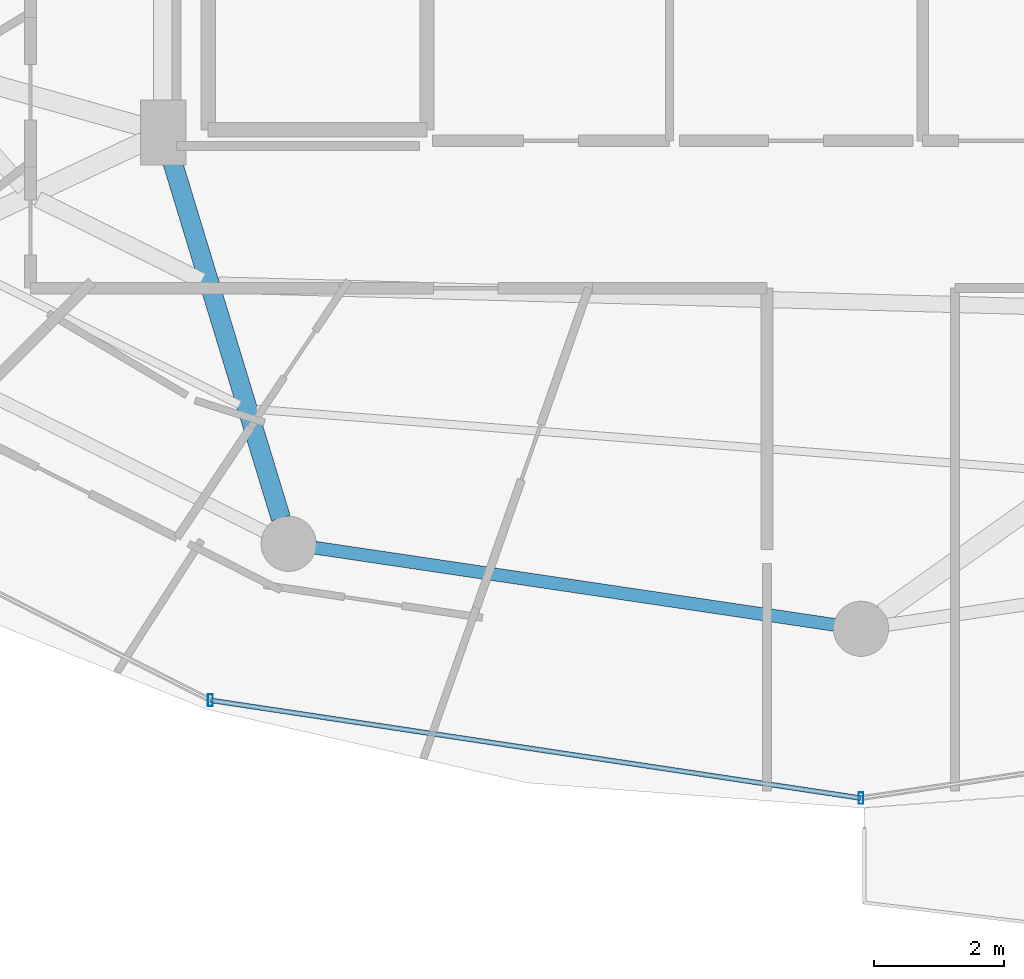
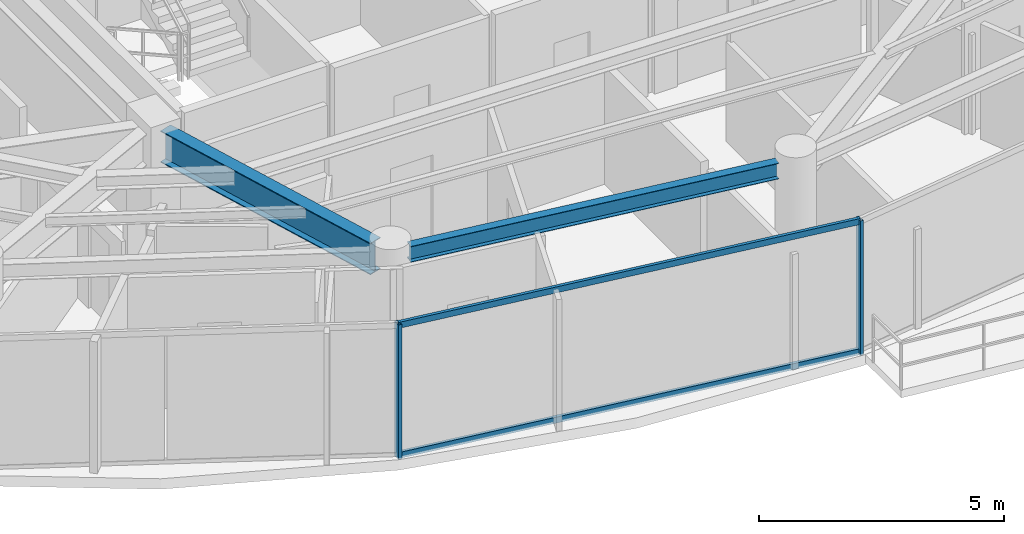
# One storey, part 4 of 30: 4 members, 2 beams, 1 element without a shape of its own.
"""IFC4 building model written with IfcOpenShell, lengths in metres."""

from ifc_helpers import new_model, si_unit, direction, frame, origin, origin_2d, place, context, subcontext, project, spatial, hollow_rectangle, i_section, extrude, material, material_profile, profile_set, type_object, element, aggregate, save


model = new_model("IFC4")

# Units and contexts
model_context = context("Model", 3, precision=1e-05, world=origin(), true_north=direction((0.0, 1.0)))
body_context = subcontext(model_context, "Body", "Model", "MODEL_VIEW")
ifc_project = project(units=[si_unit("LENGTHUNIT", "METRE"), si_unit("AREAUNIT", "SQUARE_METRE"), si_unit("VOLUMEUNIT", "CUBIC_METRE"), si_unit("PLANEANGLEUNIT", "RADIAN"), si_unit("MASSUNIT", "GRAM", prefix="KILO")], contexts=[model_context])

# Site, building, storey
site_placement = place(None, origin())
site = spatial("IfcSite", under=ifc_project, at=site_placement, CompositionType="ELEMENT")
building_placement = place(site_placement, origin())
building = spatial("IfcBuilding", under=site, at=building_placement, Name="Vorneva Point Tower", CompositionType="ELEMENT")
storey_placement = place(building_placement, frame((0.0, 0.0, 262.64990234375)))
storey = spatial("IfcBuildingStorey", under=building, at=storey_placement, Name="L71", CompositionType="ELEMENT", Elevation=262.64990234375)

# Beams
ifc_material_1 = material(Name="Steel S355", Category="steel")
ifc_material_profile_1 = material_profile(ifc_material_1, i_section(OverallWidth=0.300048828125, OverallDepth=0.7880859375, WebThickness=0.014404296875, FlangeThickness=0.02197265625, at=origin_2d()), Name="80Sh1")
ifc_profile_set_1 = profile_set([ifc_material_profile_1], Name="Steel S355")
beam_type_1 = type_object("IfcBeamType", Name="BM-GRD-80Sh1", PredefinedType="USERDEFINED", material=ifc_profile_set_1)
beam_1_placement = place(storey_placement, frame((29.058837890625, 10.50439453125, 2.89599609375), z_axis=(-0.291032624293, 0.956713129207, 0.0), x_axis=(-0.956713129207, -0.291032624293, 0.0)))
element("IfcBeam", 1, at=beam_1_placement, inside=storey, type_object=beam_type_1, Name="L71 Radial Primary Girder 12", ObjectType="GIRDER", PredefinedType="USERDEFINED", context=body_context, shape_type="SweptSolid", body=[
    extrude(i_section(OverallWidth=0.300048828125, OverallDepth=0.7880859375, WebThickness=0.014404296875, FlangeThickness=0.02197265625, at=origin_2d()), origin(), (0.0, 0.0, 1.0), 5.874755859375),
])
ifc_material_profile_2 = material_profile(ifc_material_1, i_section(OverallWidth=0.198974609375, OverallDepth=0.39599609375, WebThickness=0.007080078125, FlangeThickness=0.010986328125, at=origin_2d()), Name="40B1")
ifc_profile_set_2 = profile_set([ifc_material_profile_2], Name="Steel S355")
beam_type_2 = type_object("IfcBeamType", Name="BM-SPN-40B1", PredefinedType="SPANDREL", material=ifc_profile_set_2)
beam_2_placement = place(storey_placement, frame((29.584716796875, 10.049072265625, 3.092041015625), z_axis=(0.989161657331, -0.146830567886, 0.0), x_axis=(0.146830567886, 0.989161657331, 0.0)))
element("IfcBeam", 2, at=beam_2_placement, inside=storey, type_object=beam_type_2, Name="L71 Perimeter Spandrel Ring Beam 12", PredefinedType="SPANDREL", context=body_context, shape_type="SweptSolid", body=[
    extrude(i_section(OverallWidth=0.198974609375, OverallDepth=0.39599609375, WebThickness=0.007080078125, FlangeThickness=0.010986328125, at=origin_2d()), origin(), (0.0, 0.0, 1.0), 8.097412109375),
])

# Curtain wall, members
ifc_material_2 = material(Name="Pale anodised aluminium", Category="aluminium")
curtain_wall_type = type_object("IfcCurtainWallType", Name="CW-RES-SYS", PredefinedType="NOTDEFINED", material=ifc_material_2)
curtain_wall_placement = place(storey_placement, origin())
curtain_wall = element("IfcCurtainWall", 3, at=curtain_wall_placement, inside=storey, type_object=curtain_wall_type, Name="L71 Unitised Curtain Wall CW-L71-R04", PredefinedType="NOTDEFINED")
ifc_material_profile_3 = material_profile(ifc_material_2, hollow_rectangle(XDim=0.074951171875, YDim=0.179931640625, WallThickness=0.00390625, at=origin_2d()), Name="AL-MUL 180x75x4")
ifc_profile_set_3 = profile_set([ifc_material_profile_3], Name="Pale anodised aluminium")
member_type_1 = type_object("IfcMemberType", Name="CW-MUL-180", PredefinedType="MULLION", material=ifc_profile_set_3)
member_1_placement = place(storey_placement, frame((27.9736328125, 7.697998046875, -0.039794921875), z_axis=(0.0, 0.0, 1.0), x_axis=(1.0, 0.0, 0.0)))
member_1 = element("IfcMember", 4, at=member_1_placement, type_object=member_type_1, Name="CW-L71-R04 Mullion 02", PredefinedType="MULLION", context=body_context, shape_type="SweptSolid", body=[
    extrude(hollow_rectangle(XDim=0.074951171875, YDim=0.179931640625, WallThickness=0.00390625, at=origin_2d()), origin(), (0.0, 0.0, 1.0), 3.35986328125),
])
member_2_placement = place(storey_placement, frame((38.0, 6.18994140625, -0.039794921875), z_axis=(0.0, 0.0, 1.0), x_axis=(1.0, 0.0, 0.0)))
member_2 = element("IfcMember", 5, at=member_2_placement, type_object=member_type_1, Name="CW-L71-R04 Mullion 03", PredefinedType="MULLION", context=body_context, shape_type="SweptSolid", body=[
    extrude(hollow_rectangle(XDim=0.074951171875, YDim=0.179931640625, WallThickness=0.00390625, at=origin_2d()), origin(), (0.0, 0.0, 1.0), 3.35986328125),
])
ifc_material_profile_4 = material_profile(ifc_material_2, hollow_rectangle(XDim=0.074951171875, YDim=0.14990234375, WallThickness=0.00390625, at=origin_2d()), Name="AL-TRN 150x75x4")
ifc_profile_set_4 = profile_set([ifc_material_profile_4], Name="Pale anodised aluminium")
member_type_2 = type_object("IfcMemberType", Name="CW-TRN-150", PredefinedType="USERDEFINED", material=ifc_profile_set_4)
member_3_placement = place(storey_placement, frame((27.9736328125, 7.697998046875, 0.02001953125), z_axis=(0.988876929856, -0.148736066907, 0.0), x_axis=(0.148736066907, 0.988876929856, 0.0)))
member_3 = element("IfcMember", 6, at=member_3_placement, type_object=member_type_2, Name="CW-L71-R04 Transom 02.1", ObjectType="TRANSOM", PredefinedType="USERDEFINED", context=body_context, shape_type="SweptSolid", body=[
    extrude(hollow_rectangle(XDim=0.074951171875, YDim=0.14990234375, WallThickness=0.00390625, at=origin_2d()), origin(), (0.0, 0.0, 1.0), 10.13916015625),
])
member_4_placement = place(storey_placement, frame((27.9736328125, 7.697998046875, 3.27001953125), z_axis=(0.988876929856, -0.148736066907, 0.0), x_axis=(0.148736066907, 0.988876929856, 0.0)))
member_4 = element("IfcMember", 7, at=member_4_placement, type_object=member_type_2, Name="CW-L71-R04 Transom 02.2", ObjectType="TRANSOM", PredefinedType="USERDEFINED", context=body_context, shape_type="SweptSolid", body=[
    extrude(hollow_rectangle(XDim=0.074951171875, YDim=0.14990234375, WallThickness=0.00390625, at=origin_2d()), origin(), (0.0, 0.0, 1.0), 10.13916015625),
])
aggregate(curtain_wall, [member_1, member_2, member_3, member_4])

save(model, "model.ifc")
